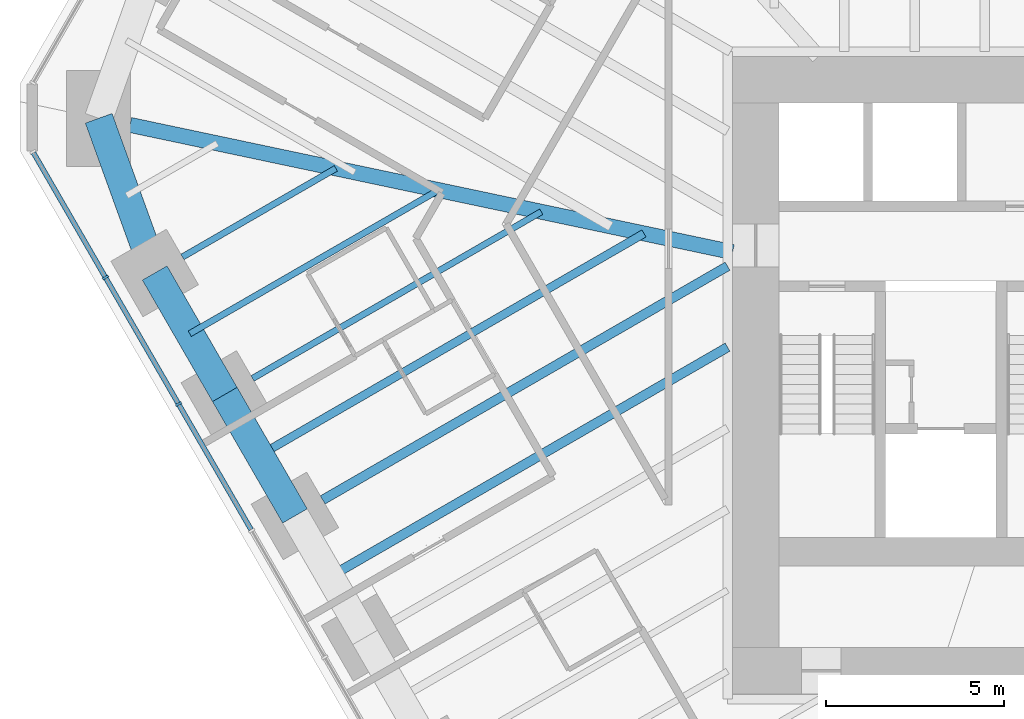
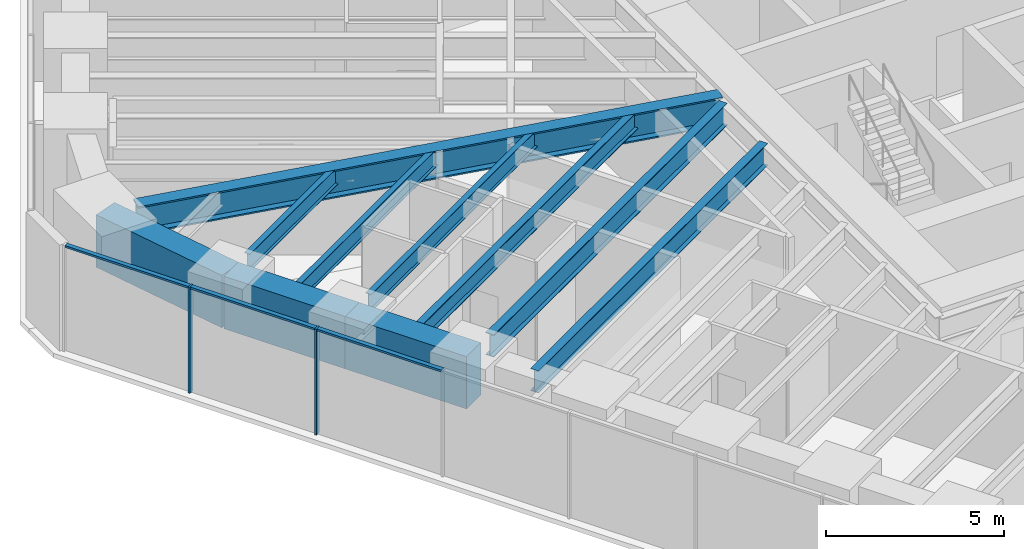
# One storey, part 3 of 16: 10 beams, 5 members, 1 element without a shape of its own.
"""IFC4 building model written with IfcOpenShell, lengths in metres."""

from ifc_helpers import new_model, si_unit, direction, frame, origin, origin_2d, place, context, subcontext, project, spatial, rectangle, i_section, extrude, material, material_profile, profile_set, type_object, element, aggregate, save


model = new_model("IFC4")

# Units and contexts
model_context = context("Model", 3, precision=1e-05, world=origin(), true_north=direction((0.0, 1.0)))
body_context = subcontext(model_context, "Body", "Model", "MODEL_VIEW")
ifc_project = project(units=[si_unit("LENGTHUNIT", "METRE"), si_unit("AREAUNIT", "SQUARE_METRE"), si_unit("VOLUMEUNIT", "CUBIC_METRE"), si_unit("PLANEANGLEUNIT", "RADIAN"), si_unit("MASSUNIT", "GRAM", prefix="KILO")], contexts=[model_context])

# Site, building, storey
site_placement = place(None, origin())
site = spatial("IfcSite", under=ifc_project, at=site_placement, CompositionType="ELEMENT")
building_placement = place(site_placement, origin())
building = spatial("IfcBuilding", under=site, at=building_placement, Name="Sandreach Pilgrim Tower", CompositionType="ELEMENT")
storey_placement = place(building_placement, frame((0.0, 0.0, 134.800048828125)))
storey = spatial("IfcBuildingStorey", under=building, at=storey_placement, Name="L33", CompositionType="ELEMENT", Elevation=134.800048828125)

# Curtain wall, members
ifc_material_1 = material(Name="Aluminium framed curtain wall", Category="aluminium")
curtain_wall_type = type_object("IfcCurtainWallType", Name="Hotel tower curtain wall", PredefinedType="NOTDEFINED", material=ifc_material_1)
curtain_wall_placement = place(storey_placement, origin())
curtain_wall = element("IfcCurtainWall", 1, at=curtain_wall_placement, inside=storey, type_object=curtain_wall_type, Name="CW-2 L33 SW", PredefinedType="NOTDEFINED")
ifc_material_2 = material(Name="Aluminium extrusion", Category="aluminium")
ifc_material_profile_1 = material_profile(ifc_material_2, rectangle(XDim=0.06494140625, YDim=0.179931640625, at=origin_2d()), Name="CW-2M 65X180")
ifc_profile_set_1 = profile_set([ifc_material_profile_1], Name="Aluminium extrusion")
member_type_1 = type_object("IfcMemberType", Name="CW-2 mullion", PredefinedType="MULLION", material=ifc_profile_set_1)
member_1_placement = place(storey_placement, frame((-24.614013671875, -2.35498046875, 0.0), z_axis=(0.0, 0.0, 1.0), x_axis=(-0.5, 0.866025403784, 0.0)))
member_1 = element("IfcMember", 2, at=member_1_placement, type_object=member_type_1, Name="CW-2 mullion 8", PredefinedType="MULLION", context=body_context, shape_type="SweptSolid", body=[
    extrude(rectangle(XDim=0.06494140625, YDim=0.179931640625, at=origin_2d()), origin(), (0.0, 0.0, 1.0), 3.639892578125),
])
member_2_placement = place(storey_placement, frame((-26.66748046875, 1.20166015625, 0.0), z_axis=(0.0, 0.0, 1.0), x_axis=(-0.5, 0.866025403784, 0.0)))
member_2 = element("IfcMember", 3, at=member_2_placement, type_object=member_type_1, Name="CW-2 mullion 9", PredefinedType="MULLION", context=body_context, shape_type="SweptSolid", body=[
    extrude(rectangle(XDim=0.06494140625, YDim=0.179931640625, at=origin_2d()), origin(), (0.0, 0.0, 1.0), 3.639892578125),
])
ifc_material_3 = material(Name="Aluminium extrusion", Category="aluminium")
ifc_material_profile_2 = material_profile(ifc_material_3, rectangle(XDim=0.139892578125, YDim=0.070068359375, at=origin_2d()), Name="CW-2T 140X70")
ifc_profile_set_2 = profile_set([ifc_material_profile_2], Name="Aluminium extrusion")
member_type_2 = type_object("IfcMemberType", Name="CW-2 transom", PredefinedType="USERDEFINED", material=ifc_profile_set_2)
member_3_placement = place(storey_placement, frame((-22.57666015625, -5.883544921875, 3.60498046875), z_axis=(-0.500023973715, 0.866011562111, 0.0), x_axis=(-0.866011562111, -0.500023973715, 0.0)))
member_3 = element("IfcMember", 4, at=member_3_placement, type_object=member_type_2, Name="CW-2 head transom 7", ObjectType="TRANSOM", PredefinedType="USERDEFINED", context=body_context, shape_type="SweptSolid", body=[
    extrude(rectangle(XDim=0.139892578125, YDim=0.070068359375, at=origin_2d()), origin(), (0.0, 0.0, 1.0), 4.041748046875),
])
member_4_placement = place(storey_placement, frame((-24.630126953125, -2.326904296875, 3.60498046875), z_axis=(-0.499997818338, 0.866026663364, 0.0), x_axis=(-0.866026663364, -0.499997818338, 0.0)))
member_4 = element("IfcMember", 5, at=member_4_placement, type_object=member_type_2, Name="CW-2 head transom 8", ObjectType="TRANSOM", PredefinedType="USERDEFINED", context=body_context, shape_type="SweptSolid", body=[
    extrude(rectangle(XDim=0.139892578125, YDim=0.070068359375, at=origin_2d()), origin(), (0.0, 0.0, 1.0), 4.0419921875),
])
member_5_placement = place(storey_placement, frame((-26.68359375, 1.229736328125, 3.60498046875), z_axis=(-0.500015851672, 0.866016251624, 0.0), x_axis=(-0.866016251624, -0.500015851672, 0.0)))
member_5 = element("IfcMember", 6, at=member_5_placement, type_object=member_type_2, Name="CW-2 head transom 9", ObjectType="TRANSOM", PredefinedType="USERDEFINED", context=body_context, shape_type="SweptSolid", body=[
    extrude(rectangle(XDim=0.139892578125, YDim=0.070068359375, at=origin_2d()), origin(), (0.0, 0.0, 1.0), 4.009521484375),
])
aggregate(curtain_wall, [member_1, member_2, member_3, member_4, member_5])

# Beams
ifc_material_4 = material(Name="Steel ASTM A992 Grade 50", Category="steel")
ifc_material_profile_3 = material_profile(ifc_material_4, i_section(OverallWidth=0.424072265625, OverallDepth=0.965087890625, WebThickness=0.028564453125, FlangeThickness=0.051025390625, at=origin_2d()), Name="W36X361")
ifc_profile_set_3 = profile_set([ifc_material_profile_3], Name="Steel ASTM A992 Grade 50")
beam_type_1 = type_object("IfcBeamType", Name="Corner girder W36X361", PredefinedType="BEAM", material=ifc_profile_set_3)
beam_1_placement = place(storey_placement, frame((-25.976806640625, 5.484619140625, 3.157470703125), z_axis=(0.978427882284, -0.206588671447, 0.0), x_axis=(0.206588671447, 0.978427882284, 0.0)))
element("IfcBeam", 7, at=beam_1_placement, inside=storey, type_object=beam_type_1, Name="BM L33 CG35", PredefinedType="BEAM", context=body_context, shape_type="SweptSolid", body=[
    extrude(i_section(OverallWidth=0.424072265625, OverallDepth=0.965087890625, WebThickness=0.028564453125, FlangeThickness=0.051025390625, at=origin_2d()), origin(), (0.0, 0.0, 1.0), 17.300048828125),
])
ifc_material_5 = material(Name="Steel ASTM A992 Grade 50", Category="steel")
ifc_material_profile_4 = material_profile(ifc_material_5, i_section(OverallWidth=0.1787109375, OverallDepth=0.60205078125, WebThickness=0.010986328125, FlangeThickness=0.014892578125, at=origin_2d()), Name="W24X62")
ifc_profile_set_4 = profile_set([ifc_material_profile_4], Name="Steel ASTM A992 Grade 50")
beam_type_2 = type_object("IfcBeamType", Name="Floor beam W24X62", PredefinedType="BEAM", material=ifc_profile_set_4)
beam_2_placement = place(storey_placement, frame((-22.534423828125, -1.63671875, 3.3388671875), z_axis=(0.866012351917, 0.500022605817, 0.0), x_axis=(-0.500022605817, 0.866012351917, 0.0)))
element("IfcBeam", 8, at=beam_2_placement, inside=storey, type_object=beam_type_2, Name="BM L33 F33", PredefinedType="BEAM", context=body_context, shape_type="SweptSolid", body=[
    extrude(i_section(OverallWidth=0.1787109375, OverallDepth=0.60205078125, WebThickness=0.010986328125, FlangeThickness=0.014892578125, at=origin_2d()), origin(), (0.0, 0.0, 1.0), 9.3642578125),
])
beam_3_placement = place(storey_placement, frame((-24.50439453125, 1.775390625, 3.3388671875), z_axis=(0.866024645457, 0.500001313459, 0.0), x_axis=(-0.500001313459, 0.866024645457, 0.0)))
element("IfcBeam", 9, at=beam_3_placement, inside=storey, type_object=beam_type_2, Name="BM L33 F34", PredefinedType="BEAM", context=body_context, shape_type="SweptSolid", body=[
    extrude(i_section(OverallWidth=0.1787109375, OverallDepth=0.60205078125, WebThickness=0.010986328125, FlangeThickness=0.014892578125, at=origin_2d()), origin(), (0.0, 0.0, 1.0), 4.9765625),
])
beam_4_placement = place(storey_placement, frame((-24.298828125, -0.380615234375, 3.3388671875), z_axis=(0.866022864518, 0.500004398112, 0.0), x_axis=(-0.500004398112, 0.866022864518, 0.0)))
element("IfcBeam", 10, at=beam_4_placement, inside=storey, type_object=beam_type_2, Name="BM L33 FM33", PredefinedType="BEAM", context=body_context, shape_type="SweptSolid", body=[
    extrude(i_section(OverallWidth=0.1787109375, OverallDepth=0.60205078125, WebThickness=0.010986328125, FlangeThickness=0.014892578125, at=origin_2d()), origin(), (0.0, 0.0, 1.0), 8.0703125),
])
ifc_material_6 = material(Name="Steel ASTM A992 Grade 50", Category="steel")
ifc_material_profile_5 = material_profile(ifc_material_6, i_section(OverallWidth=0.23046875, OverallDepth=0.6171875, WebThickness=0.01318359375, FlangeThickness=0.022216796875, at=origin_2d()), Name="W24X94")
ifc_profile_set_5 = profile_set([ifc_material_profile_5], Name="Steel ASTM A992 Grade 50")
beam_type_3 = type_object("IfcBeamType", Name="Floor beam W24X94", PredefinedType="BEAM", material=ifc_profile_set_5)
beam_5_placement = place(storey_placement, frame((-22.328857421875, -3.792724609375, 3.331298828125), z_axis=(0.866019150617, 0.500010830648, 0.0), x_axis=(-0.500010830648, 0.866019150617, 0.0)))
element("IfcBeam", 11, at=beam_5_placement, inside=storey, type_object=beam_type_3, Name="BM L33 FM32", PredefinedType="BEAM", context=body_context, shape_type="SweptSolid", body=[
    extrude(i_section(OverallWidth=0.23046875, OverallDepth=0.6171875, WebThickness=0.01318359375, FlangeThickness=0.022216796875, at=origin_2d()), origin(), (0.0, 0.0, 1.0), 12.458251953125),
])
ifc_material_7 = material(Name="Steel ASTM A992 Grade 50", Category="steel")
ifc_material_profile_6 = material_profile(ifc_material_7, i_section(OverallWidth=0.2666015625, OverallDepth=0.761962890625, WebThickness=0.014404296875, FlangeThickness=0.021484375, at=origin_2d()), Name="W30X116")
ifc_profile_set_6 = profile_set([ifc_material_profile_6], Name="Steel ASTM A992 Grade 50")
beam_type_4 = type_object("IfcBeamType", Name="Floor beam W30X116", PredefinedType="BEAM", material=ifc_profile_set_6)
beam_6_placement = place(storey_placement, frame((-20.564453125, -5.048828125, 3.259033203125), z_axis=(0.866022715736, 0.500004655807, 0.0), x_axis=(-0.500004655807, 0.866022715736, 0.0)))
element("IfcBeam", 12, at=beam_6_placement, inside=storey, type_object=beam_type_4, Name="BM L33 F32", PredefinedType="BEAM", context=body_context, shape_type="SweptSolid", body=[
    extrude(i_section(OverallWidth=0.2666015625, OverallDepth=0.761962890625, WebThickness=0.014404296875, FlangeThickness=0.021484375, at=origin_2d()), origin(), (0.0, 0.0, 1.0), 13.130126953125),
])
beam_7_placement = place(storey_placement, frame((-20.35888671875, -7.204833984375, 3.259033203125), z_axis=(0.866021609098, 0.500006572533, 0.0), x_axis=(-0.500006572533, 0.866021609098, 0.0)))
element("IfcBeam", 13, at=beam_7_placement, inside=storey, type_object=beam_type_4, Name="BM L33 FM31", PredefinedType="BEAM", context=body_context, shape_type="SweptSolid", body=[
    extrude(i_section(OverallWidth=0.2666015625, OverallDepth=0.761962890625, WebThickness=0.014404296875, FlangeThickness=0.021484375, at=origin_2d()), origin(), (0.0, 0.0, 1.0), 12.892822265625),
])
ifc_material_8 = material(Name="Concrete 10000 psi", Category="concrete")
ifc_material_profile_7 = material_profile(ifc_material_8, rectangle(XDim=0.800048828125, YDim=1.800048828125, at=origin_2d()), Name="RC800X1800")
ifc_profile_set_7 = profile_set([ifc_material_profile_7], Name="Concrete 10000 psi")
beam_type_5 = type_object("IfcBeamType", Name="Spandrel beam RC800X1800", PredefinedType="SPANDREL", material=ifc_profile_set_7)
for number, where, z_axis, x_axis, name in (
    (14, (-21.343994140625, -5.498779296875, 2.739990234375), (-0.49999779889, 0.866026674592, 0.0), (-0.866026674592, -0.49999779889, 0.0), "BM L33 SP32"),
    (15, (-23.31396484375, -2.086669921875, 2.739990234375), (-0.49999779889, 0.866026674592, 0.0), (-0.866026674592, -0.49999779889, 0.0), "BM L33 SP33"),
):
    element("IfcBeam", number, at=place(storey_placement, frame(where, z_axis=z_axis, x_axis=x_axis)), inside=storey, type_object=beam_type_5, Name=name, PredefinedType="SPANDREL", context=body_context, shape_type="SweptSolid", body=[
        extrude(rectangle(XDim=0.800048828125, YDim=1.800048828125, at=origin_2d()), origin(), (0.0, 0.0, 1.0), 3.93994140625),
    ])
beam_8_placement = place(storey_placement, frame((-25.283935546875, 1.325439453125, 2.739990234375), z_axis=(-0.340453163563, 0.940261476091, 0.0), x_axis=(-0.940261476091, -0.340453163563, 0.0)))
element("IfcBeam", 16, at=beam_8_placement, inside=storey, type_object=beam_type_5, Name="BM L33 SP34", PredefinedType="SPANDREL", context=body_context, shape_type="SweptSolid", body=[
    extrude(rectangle(XDim=0.800048828125, YDim=1.800048828125, at=origin_2d()), origin(), (0.0, 0.0, 1.0), 4.62109375),
])

save(model, "model.ifc")
